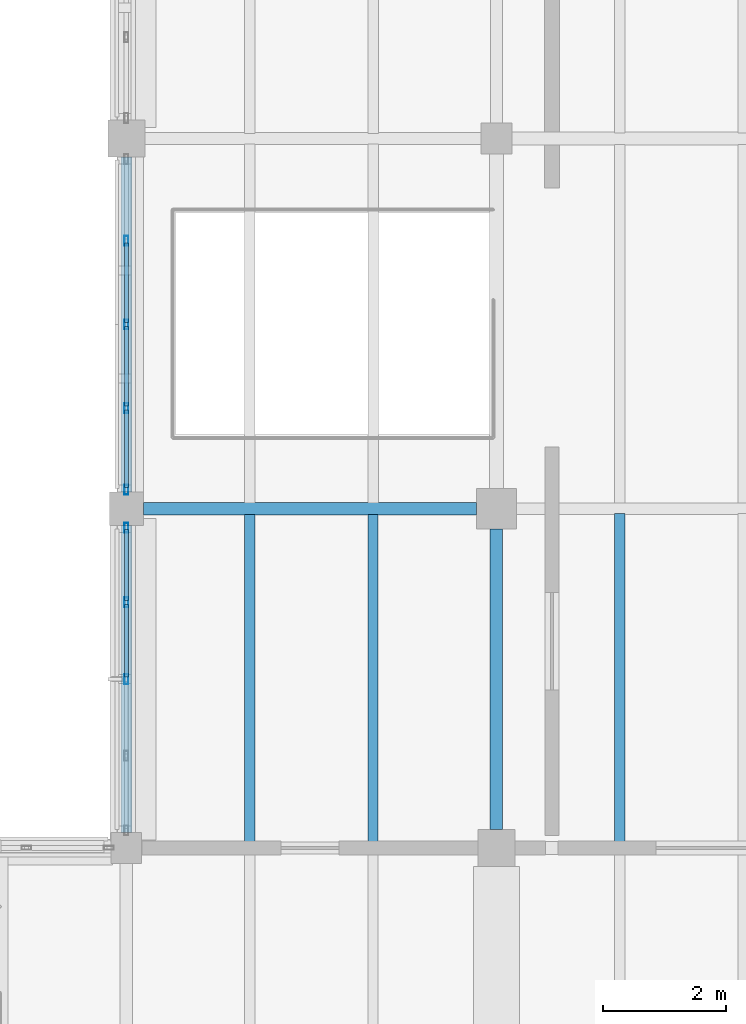
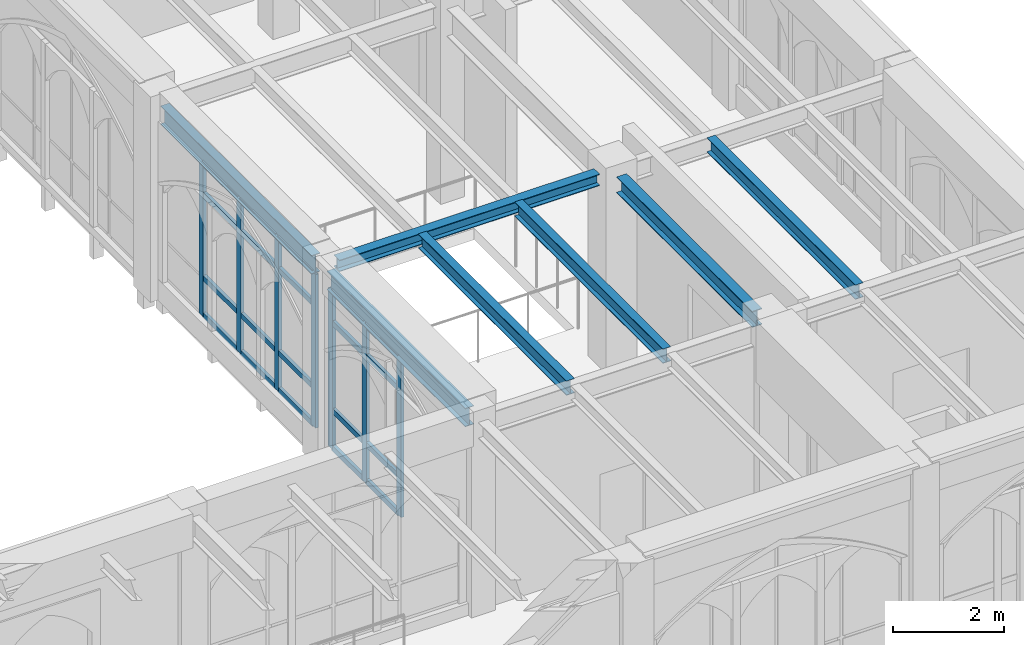
# One storey, part 19 of 127: 27 members, 7 beams, 2 elements without a shape of their own.
"""IFC4 building model written with IfcOpenShell, lengths in metres."""

from ifc_helpers import new_model, si_unit, direction, frame, origin, origin_2d, place, context, subcontext, project, spatial, hollow_rectangle, i_section, extrude, material, layer, layer_set, material_profile, profile_set, type_object, element, aggregate, save


model = new_model("IFC4")

# Units and contexts
model_context = context("Model", 3, precision=1e-05, world=origin(), true_north=direction((0.0, 1.0)))
body_context = subcontext(model_context, "Body", "Model", "MODEL_VIEW")
ifc_project = project(units=[si_unit("LENGTHUNIT", "METRE"), si_unit("AREAUNIT", "SQUARE_METRE"), si_unit("VOLUMEUNIT", "CUBIC_METRE"), si_unit("PLANEANGLEUNIT", "RADIAN"), si_unit("MASSUNIT", "GRAM", prefix="KILO")], contexts=[model_context])

# Site, building, storey
site_placement = place(None, origin())
site = spatial("IfcSite", under=ifc_project, at=site_placement, CompositionType="ELEMENT")
building_placement = place(site_placement, origin())
building = spatial("IfcBuilding", under=site, at=building_placement, Name="Cumevento Cable Car Station", CompositionType="ELEMENT")
storey_placement = place(building_placement, frame((0.0, 0.0, 4.5)))
storey = spatial("IfcBuildingStorey", under=building, at=storey_placement, Name="L02", CompositionType="ELEMENT", Elevation=4.5)

# Curtain wall, members
ifc_material_1 = material(Name="Anodised Bronze Aluminium AW-6063-T6", Category="aluminium")
ifc_layer_1 = layer(ifc_material_1, 0.18408203125)
ifc_layer_set_1 = layer_set([ifc_layer_1], Name="Anodised Bronze Aluminium AW-6063-T6")
curtain_wall_type_1 = type_object("IfcCurtainWallType", Name="Lancet Curtain Wall CW-05 1210", PredefinedType="NOTDEFINED", material=ifc_layer_set_1)
curtain_wall_1_placement = place(storey_placement, origin())
curtain_wall_1 = element("IfcCurtainWall", 1, at=curtain_wall_1_placement, inside=storey, type_object=curtain_wall_type_1, Name="Lancet Curtain Wall CW-05 L02 #36", PredefinedType="NOTDEFINED")
ifc_material_2 = material(Name="Anodised Bronze Aluminium AW-6063-T6", Category="aluminium")
ifc_material_profile_1 = material_profile(ifc_material_2, hollow_rectangle(XDim=0.06494140625, YDim=0.159912109375, WallThickness=0.00390625, at=origin_2d()), Name="ALUM65x160x4")
ifc_profile_set_1 = profile_set([ifc_material_profile_1], Name="Anodised Bronze Aluminium AW-6063-T6")
member_type_1 = type_object("IfcMemberType", Name="Curtain Mullion CWM-01 ALUM65x160x4", PredefinedType="MULLION", material=ifc_profile_set_1)
member_1_placement = place(storey_placement, frame((58.0, 12.237548828125, 0.360107421875), z_axis=(0.0, 0.0, 1.0), x_axis=(-1.0, 0.0, 0.0)))
member_1 = element("IfcMember", 2, at=member_1_placement, type_object=member_type_1, Name="CW-05 mullion 3", PredefinedType="MULLION", context=body_context, shape_type="SweptSolid", body=[
    extrude(hollow_rectangle(XDim=0.06494140625, YDim=0.159912109375, WallThickness=0.00390625, at=origin_2d()), origin(), (0.0, 0.0, 1.0), 3.472900390625),
])
member_2_placement = place(storey_placement, frame((58.0, 13.481201171875, 0.360107421875), z_axis=(0.0, 0.0, 1.0), x_axis=(-1.0, 0.0, 0.0)))
member_2 = element("IfcMember", 3, at=member_2_placement, type_object=member_type_1, Name="CW-05 mullion 4", PredefinedType="MULLION", context=body_context, shape_type="SweptSolid", body=[
    extrude(hollow_rectangle(XDim=0.06494140625, YDim=0.159912109375, WallThickness=0.00390625, at=origin_2d()), origin(), (0.0, 0.0, 1.0), 3.472900390625),
])
member_3_placement = place(storey_placement, frame((58.0, 14.6923828125, 0.360107421875), z_axis=(0.0, 0.0, 1.0), x_axis=(-1.0, 0.0, 0.0)))
member_3 = element("IfcMember", 4, at=member_3_placement, type_object=member_type_1, Name="CW-05 mullion 5", PredefinedType="MULLION", context=body_context, shape_type="SweptSolid", body=[
    extrude(hollow_rectangle(XDim=0.06494140625, YDim=0.159912109375, WallThickness=0.00390625, at=origin_2d()), origin(), (0.0, 0.0, 1.0), 3.472900390625),
])

ifc_material_3 = material(Name="Anodised Bronze Aluminium AW-6063-T6", Category="aluminium")
ifc_layer_2 = layer(ifc_material_3, 0.196044921875)
ifc_layer_set_2 = layer_set([ifc_layer_2], Name="Anodised Bronze Aluminium AW-6063-T6")
curtain_wall_type_2 = type_object("IfcCurtainWallType", Name="Lancet Curtain Wall CW-07 1290", PredefinedType="NOTDEFINED", material=ifc_layer_set_2)
curtain_wall_2_placement = place(storey_placement, origin())
curtain_wall_2 = element("IfcCurtainWall", 5, at=curtain_wall_2_placement, inside=storey, type_object=curtain_wall_type_2, Name="Lancet Curtain Wall CW-07 L02 #38", PredefinedType="NOTDEFINED")
member_4_placement = place(storey_placement, frame((58.0, 15.3076171875, 0.4599609375), z_axis=(0.0, 0.0, 1.0), x_axis=(-1.0, 0.0, 0.0)))
member_4 = element("IfcMember", 6, at=member_4_placement, type_object=member_type_1, Name="CW-07 mullion 1", PredefinedType="MULLION", context=body_context, shape_type="SweptSolid", body=[
    extrude(hollow_rectangle(XDim=0.06494140625, YDim=0.159912109375, WallThickness=0.00390625, at=origin_2d()), origin(), (0.0, 0.0, 1.0), 3.373046875),
])
member_5_placement = place(storey_placement, frame((58.0, 16.63134765625, 0.4599609375), z_axis=(0.0, 0.0, 1.0), x_axis=(-1.0, 0.0, 0.0)))
member_5 = element("IfcMember", 7, at=member_5_placement, type_object=member_type_1, Name="CW-07 mullion 2", PredefinedType="MULLION", context=body_context, shape_type="SweptSolid", body=[
    extrude(hollow_rectangle(XDim=0.06494140625, YDim=0.159912109375, WallThickness=0.00390625, at=origin_2d()), origin(), (0.0, 0.0, 1.0), 3.373046875),
])
member_6_placement = place(storey_placement, frame((58.0, 17.987548828125, 0.4599609375), z_axis=(0.0, 0.0, 1.0), x_axis=(-1.0, 0.0, 0.0)))
member_6 = element("IfcMember", 8, at=member_6_placement, type_object=member_type_1, Name="CW-07 mullion 3", PredefinedType="MULLION", context=body_context, shape_type="SweptSolid", body=[
    extrude(hollow_rectangle(XDim=0.06494140625, YDim=0.159912109375, WallThickness=0.00390625, at=origin_2d()), origin(), (0.0, 0.0, 1.0), 3.373046875),
])
member_7_placement = place(storey_placement, frame((58.0, 19.34375, 0.4599609375), z_axis=(0.0, 0.0, 1.0), x_axis=(-1.0, 0.0, 0.0)))
member_7 = element("IfcMember", 9, at=member_7_placement, type_object=member_type_1, Name="CW-07 mullion 4", PredefinedType="MULLION", context=body_context, shape_type="SweptSolid", body=[
    extrude(hollow_rectangle(XDim=0.06494140625, YDim=0.159912109375, WallThickness=0.00390625, at=origin_2d()), origin(), (0.0, 0.0, 1.0), 3.373046875),
])

# Member
ifc_material_4 = material(Name="Anodised Bronze Aluminium AW-6063-T6", Category="aluminium")
ifc_material_profile_2 = material_profile(ifc_material_4, hollow_rectangle(XDim=0.06494140625, YDim=0.1201171875, WallThickness=0.00390625, at=origin_2d()), Name="ALUT65x120x4")
ifc_profile_set_2 = profile_set([ifc_material_profile_2], Name="Anodised Bronze Aluminium AW-6063-T6")
member_type_2 = type_object("IfcMemberType", Name="Curtain Transom CWT-01 ALUT65x120x4", PredefinedType="USERDEFINED", material=ifc_profile_set_2)
member_8_placement = place(storey_placement, frame((58.0, 12.27001953125, 0.392578125), z_axis=(0.0, 1.0, 0.0), x_axis=(-1.0, 0.0, 0.0)))
member_8 = element("IfcMember", 10, at=member_8_placement, type_object=member_type_2, Name="CW-05 transom 3.1", ObjectType="TRANSOM", PredefinedType="USERDEFINED", context=body_context, shape_type="SweptSolid", body=[
    extrude(hollow_rectangle(XDim=0.06494140625, YDim=0.1201171875, WallThickness=0.00390625, at=origin_2d()), origin(), (0.0, 0.0, 1.0), 1.1787109375),
])

member_9_placement = place(storey_placement, frame((58.0, 12.27001953125, 1.2099609375), z_axis=(0.0, 1.0, 0.0), x_axis=(-1.0, 0.0, 0.0)))
member_9 = element("IfcMember", 11, at=member_9_placement, type_object=member_type_2, Name="CW-05 transom 3.2", ObjectType="TRANSOM", PredefinedType="USERDEFINED", context=body_context, shape_type="SweptSolid", body=[
    extrude(hollow_rectangle(XDim=0.06494140625, YDim=0.1201171875, WallThickness=0.00390625, at=origin_2d()), origin(), (0.0, 0.0, 1.0), 1.1787109375),
])

member_10_placement = place(storey_placement, frame((58.0, 12.27001953125, 3.133056640625), z_axis=(0.0, 1.0, 0.0), x_axis=(-1.0, 0.0, 0.0)))
member_10 = element("IfcMember", 12, at=member_10_placement, type_object=member_type_2, Name="CW-05 transom 3.3", ObjectType="TRANSOM", PredefinedType="USERDEFINED", context=body_context, shape_type="SweptSolid", body=[
    extrude(hollow_rectangle(XDim=0.06494140625, YDim=0.1201171875, WallThickness=0.00390625, at=origin_2d()), origin(), (0.0, 0.0, 1.0), 1.1787109375),
])

member_11_placement = place(storey_placement, frame((58.0, 12.27001953125, 3.800537109375), z_axis=(0.0, 1.0, 0.0), x_axis=(-1.0, 0.0, 0.0)))
member_11 = element("IfcMember", 13, at=member_11_placement, type_object=member_type_2, Name="CW-05 transom 3.4", ObjectType="TRANSOM", PredefinedType="USERDEFINED", context=body_context, shape_type="SweptSolid", body=[
    extrude(hollow_rectangle(XDim=0.06494140625, YDim=0.1201171875, WallThickness=0.00390625, at=origin_2d()), origin(), (0.0, 0.0, 1.0), 1.1787109375),
])

member_12_placement = place(storey_placement, frame((58.0, 13.513671875, 0.392578125), z_axis=(0.0, 1.0, 0.0), x_axis=(-1.0, 0.0, 0.0)))
member_12 = element("IfcMember", 14, at=member_12_placement, type_object=member_type_2, Name="CW-05 transom 4.1", ObjectType="TRANSOM", PredefinedType="USERDEFINED", context=body_context, shape_type="SweptSolid", body=[
    extrude(hollow_rectangle(XDim=0.06494140625, YDim=0.1201171875, WallThickness=0.00390625, at=origin_2d()), origin(), (0.0, 0.0, 1.0), 1.146240234375),
])

member_13_placement = place(storey_placement, frame((58.0, 13.513671875, 1.2099609375), z_axis=(0.0, 1.0, 0.0), x_axis=(-1.0, 0.0, 0.0)))
member_13 = element("IfcMember", 15, at=member_13_placement, type_object=member_type_2, Name="CW-05 transom 4.2", ObjectType="TRANSOM", PredefinedType="USERDEFINED", context=body_context, shape_type="SweptSolid", body=[
    extrude(hollow_rectangle(XDim=0.06494140625, YDim=0.1201171875, WallThickness=0.00390625, at=origin_2d()), origin(), (0.0, 0.0, 1.0), 1.146240234375),
])

member_14_placement = place(storey_placement, frame((58.0, 13.513671875, 3.133056640625), z_axis=(0.0, 1.0, 0.0), x_axis=(-1.0, 0.0, 0.0)))
member_14 = element("IfcMember", 16, at=member_14_placement, type_object=member_type_2, Name="CW-05 transom 4.3", ObjectType="TRANSOM", PredefinedType="USERDEFINED", context=body_context, shape_type="SweptSolid", body=[
    extrude(hollow_rectangle(XDim=0.06494140625, YDim=0.1201171875, WallThickness=0.00390625, at=origin_2d()), origin(), (0.0, 0.0, 1.0), 1.146240234375),
])

member_15_placement = place(storey_placement, frame((58.0, 13.513671875, 3.800537109375), z_axis=(0.0, 1.0, 0.0), x_axis=(-1.0, 0.0, 0.0)))
member_15 = element("IfcMember", 17, at=member_15_placement, type_object=member_type_2, Name="CW-05 transom 4.4", ObjectType="TRANSOM", PredefinedType="USERDEFINED", context=body_context, shape_type="SweptSolid", body=[
    extrude(hollow_rectangle(XDim=0.06494140625, YDim=0.1201171875, WallThickness=0.00390625, at=origin_2d()), origin(), (0.0, 0.0, 1.0), 1.146240234375),
])

aggregate(curtain_wall_1, [member_1, member_2, member_3, member_8, member_9, member_10, member_11, member_12, member_13, member_14, member_15])

member_16_placement = place(storey_placement, frame((58.0, 15.340087890625, 0.492431640625), z_axis=(0.0, 1.0, 0.0), x_axis=(-1.0, 0.0, 0.0)))
member_16 = element("IfcMember", 18, at=member_16_placement, type_object=member_type_2, Name="CW-07 transom 1.1", ObjectType="TRANSOM", PredefinedType="USERDEFINED", context=body_context, shape_type="SweptSolid", body=[
    extrude(hollow_rectangle(XDim=0.06494140625, YDim=0.1201171875, WallThickness=0.00390625, at=origin_2d()), origin(), (0.0, 0.0, 1.0), 1.258544921875),
])

member_17_placement = place(storey_placement, frame((58.0, 15.340087890625, 1.31005859375), z_axis=(0.0, 1.0, 0.0), x_axis=(-1.0, 0.0, 0.0)))
member_17 = element("IfcMember", 19, at=member_17_placement, type_object=member_type_2, Name="CW-07 transom 1.2", ObjectType="TRANSOM", PredefinedType="USERDEFINED", context=body_context, shape_type="SweptSolid", body=[
    extrude(hollow_rectangle(XDim=0.06494140625, YDim=0.1201171875, WallThickness=0.00390625, at=origin_2d()), origin(), (0.0, 0.0, 1.0), 1.258544921875),
])

member_18_placement = place(storey_placement, frame((58.0, 15.340087890625, 3.133056640625), z_axis=(0.0, 1.0, 0.0), x_axis=(-1.0, 0.0, 0.0)))
member_18 = element("IfcMember", 20, at=member_18_placement, type_object=member_type_2, Name="CW-07 transom 1.3", ObjectType="TRANSOM", PredefinedType="USERDEFINED", context=body_context, shape_type="SweptSolid", body=[
    extrude(hollow_rectangle(XDim=0.06494140625, YDim=0.1201171875, WallThickness=0.00390625, at=origin_2d()), origin(), (0.0, 0.0, 1.0), 1.258544921875),
])

member_19_placement = place(storey_placement, frame((58.0, 15.340087890625, 3.800537109375), z_axis=(0.0, 1.0, 0.0), x_axis=(-1.0, 0.0, 0.0)))
member_19 = element("IfcMember", 21, at=member_19_placement, type_object=member_type_2, Name="CW-07 transom 1.4", ObjectType="TRANSOM", PredefinedType="USERDEFINED", context=body_context, shape_type="SweptSolid", body=[
    extrude(hollow_rectangle(XDim=0.06494140625, YDim=0.1201171875, WallThickness=0.00390625, at=origin_2d()), origin(), (0.0, 0.0, 1.0), 1.258544921875),
])

member_20_placement = place(storey_placement, frame((58.0, 16.663818359375, 0.492431640625), z_axis=(0.0, 1.0, 0.0), x_axis=(-1.0, 0.0, 0.0)))
member_20 = element("IfcMember", 22, at=member_20_placement, type_object=member_type_2, Name="CW-07 transom 2.1", ObjectType="TRANSOM", PredefinedType="USERDEFINED", context=body_context, shape_type="SweptSolid", body=[
    extrude(hollow_rectangle(XDim=0.06494140625, YDim=0.1201171875, WallThickness=0.00390625, at=origin_2d()), origin(), (0.0, 0.0, 1.0), 1.291259765625),
])

member_21_placement = place(storey_placement, frame((58.0, 16.663818359375, 1.31005859375), z_axis=(0.0, 1.0, 0.0), x_axis=(-1.0, 0.0, 0.0)))
member_21 = element("IfcMember", 23, at=member_21_placement, type_object=member_type_2, Name="CW-07 transom 2.2", ObjectType="TRANSOM", PredefinedType="USERDEFINED", context=body_context, shape_type="SweptSolid", body=[
    extrude(hollow_rectangle(XDim=0.06494140625, YDim=0.1201171875, WallThickness=0.00390625, at=origin_2d()), origin(), (0.0, 0.0, 1.0), 1.291259765625),
])

member_22_placement = place(storey_placement, frame((58.0, 16.663818359375, 3.133056640625), z_axis=(0.0, 1.0, 0.0), x_axis=(-1.0, 0.0, 0.0)))
member_22 = element("IfcMember", 24, at=member_22_placement, type_object=member_type_2, Name="CW-07 transom 2.3", ObjectType="TRANSOM", PredefinedType="USERDEFINED", context=body_context, shape_type="SweptSolid", body=[
    extrude(hollow_rectangle(XDim=0.06494140625, YDim=0.1201171875, WallThickness=0.00390625, at=origin_2d()), origin(), (0.0, 0.0, 1.0), 1.291259765625),
])

member_23_placement = place(storey_placement, frame((58.0, 16.663818359375, 3.800537109375), z_axis=(0.0, 1.0, 0.0), x_axis=(-1.0, 0.0, 0.0)))
member_23 = element("IfcMember", 25, at=member_23_placement, type_object=member_type_2, Name="CW-07 transom 2.4", ObjectType="TRANSOM", PredefinedType="USERDEFINED", context=body_context, shape_type="SweptSolid", body=[
    extrude(hollow_rectangle(XDim=0.06494140625, YDim=0.1201171875, WallThickness=0.00390625, at=origin_2d()), origin(), (0.0, 0.0, 1.0), 1.291259765625),
])

member_24_placement = place(storey_placement, frame((58.0, 18.02001953125, 0.492431640625), z_axis=(0.0, 1.0, 0.0), x_axis=(-1.0, 0.0, 0.0)))
member_24 = element("IfcMember", 26, at=member_24_placement, type_object=member_type_2, Name="CW-07 transom 3.1", ObjectType="TRANSOM", PredefinedType="USERDEFINED", context=body_context, shape_type="SweptSolid", body=[
    extrude(hollow_rectangle(XDim=0.06494140625, YDim=0.1201171875, WallThickness=0.00390625, at=origin_2d()), origin(), (0.0, 0.0, 1.0), 1.291259765625),
])

member_25_placement = place(storey_placement, frame((58.0, 18.02001953125, 1.31005859375), z_axis=(0.0, 1.0, 0.0), x_axis=(-1.0, 0.0, 0.0)))
member_25 = element("IfcMember", 27, at=member_25_placement, type_object=member_type_2, Name="CW-07 transom 3.2", ObjectType="TRANSOM", PredefinedType="USERDEFINED", context=body_context, shape_type="SweptSolid", body=[
    extrude(hollow_rectangle(XDim=0.06494140625, YDim=0.1201171875, WallThickness=0.00390625, at=origin_2d()), origin(), (0.0, 0.0, 1.0), 1.291259765625),
])

member_26_placement = place(storey_placement, frame((58.0, 18.02001953125, 3.133056640625), z_axis=(0.0, 1.0, 0.0), x_axis=(-1.0, 0.0, 0.0)))
member_26 = element("IfcMember", 28, at=member_26_placement, type_object=member_type_2, Name="CW-07 transom 3.3", ObjectType="TRANSOM", PredefinedType="USERDEFINED", context=body_context, shape_type="SweptSolid", body=[
    extrude(hollow_rectangle(XDim=0.06494140625, YDim=0.1201171875, WallThickness=0.00390625, at=origin_2d()), origin(), (0.0, 0.0, 1.0), 1.291259765625),
])

member_27_placement = place(storey_placement, frame((58.0, 18.02001953125, 3.800537109375), z_axis=(0.0, 1.0, 0.0), x_axis=(-1.0, 0.0, 0.0)))
member_27 = element("IfcMember", 29, at=member_27_placement, type_object=member_type_2, Name="CW-07 transom 3.4", ObjectType="TRANSOM", PredefinedType="USERDEFINED", context=body_context, shape_type="SweptSolid", body=[
    extrude(hollow_rectangle(XDim=0.06494140625, YDim=0.1201171875, WallThickness=0.00390625, at=origin_2d()), origin(), (0.0, 0.0, 1.0), 1.291259765625),
])

aggregate(curtain_wall_2, [member_4, member_5, member_6, member_7, member_16, member_17, member_18, member_19, member_20, member_21, member_22, member_23, member_24, member_25, member_26, member_27])

# Beams
ifc_material_5 = material(Name="Steel ASTM A572 Grade 50", Category="steel")
ifc_material_profile_3 = material_profile(ifc_material_5, i_section(OverallWidth=0.205078125, OverallDepth=0.35400390625, WebThickness=0.009521484375, FlangeThickness=0.016845703125, at=origin_2d()), Name="W360x79.0")
ifc_profile_set_3 = profile_set([ifc_material_profile_3], Name="Steel ASTM A572 Grade 50")
beam_type_1 = type_object("IfcBeamType", Name="Structural Beam BM-05 W360x79.0", PredefinedType="BEAM", material=ifc_profile_set_3)
beam_1_placement = place(storey_placement, frame((64.0, 9.800048828125, 4.06298828125), z_axis=(0.0, 1.0, 0.0), x_axis=(-1.0, 0.0, 0.0)))
element("IfcBeam", 30, at=beam_1_placement, inside=storey, type_object=beam_type_1, Name="Beam BM-05 L02 #492", PredefinedType="BEAM", context=body_context, shape_type="SweptSolid", body=[
    extrude(i_section(OverallWidth=0.205078125, OverallDepth=0.35400390625, WebThickness=0.009521484375, FlangeThickness=0.016845703125, at=origin_2d()), origin(), (0.0, 0.0, 1.0), 4.875),
])
ifc_material_6 = material(Name="Steel ASTM A572 Grade 50", Category="steel")
ifc_material_profile_4 = material_profile(ifc_material_6, i_section(OverallWidth=0.202880859375, OverallDepth=0.251953125, WebThickness=0.008056640625, FlangeThickness=0.013427734375, at=origin_2d()), Name="W250x58.0")
ifc_profile_set_4 = profile_set([ifc_material_profile_4], Name="Steel ASTM A572 Grade 50")
beam_type_2 = type_object("IfcBeamType", Name="Structural Beam BM-08 W250x58.0", PredefinedType="BEAM", material=ifc_profile_set_4)
beam_2_placement = place(storey_placement, frame((58.27490234375, 15.0, 4.114013671875), z_axis=(1.0, 0.0, 0.0), x_axis=(0.0, 1.0, 0.0)))
element("IfcBeam", 31, at=beam_2_placement, inside=storey, type_object=beam_type_2, Name="Beam BM-08 L02 #477", PredefinedType="BEAM", context=body_context, shape_type="SweptSolid", body=[
    extrude(i_section(OverallWidth=0.202880859375, OverallDepth=0.251953125, WebThickness=0.008056640625, FlangeThickness=0.013427734375, at=origin_2d()), origin(), (0.0, 0.0, 1.0), 5.400146484375),
])
ifc_material_7 = material(Name="Steel ASTM A572 Grade 50", Category="steel")
ifc_material_profile_5 = material_profile(ifc_material_7, i_section(OverallWidth=0.1669921875, OverallDepth=0.31689453125, WebThickness=0.007568359375, FlangeThickness=0.01318359375, at=origin_2d()), Name="W310x52.0")
ifc_profile_set_5 = profile_set([ifc_material_profile_5], Name="Steel ASTM A572 Grade 50")
beam_type_3 = type_object("IfcBeamType", Name="Structural Joist JS-02 W310x52.0", PredefinedType="JOIST", material=ifc_profile_set_5)
for number, where, z_axis, x_axis, name in (
    (32, (60.0, 9.5830078125, 4.08154296875), (0.0, 1.0, 0.0), (-1.0, 0.0, 0.0), "Composite Floor Joist JS-02 L02 #752"),
    (33, (62.0, 9.5830078125, 4.08154296875), (0.0, 1.0, 0.0), (-1.0, 0.0, 0.0), "Composite Floor Joist JS-02 L02 #756"),
):
    element("IfcBeam", number, at=place(storey_placement, frame(where, z_axis=z_axis, x_axis=x_axis)), inside=storey, type_object=beam_type_3, Name=name, PredefinedType="JOIST", context=body_context, shape_type="SweptSolid", body=[
        extrude(i_section(OverallWidth=0.1669921875, OverallDepth=0.31689453125, WebThickness=0.007568359375, FlangeThickness=0.01318359375, at=origin_2d()), origin(), (0.0, 0.0, 1.0), 5.327392578125),
    ])
beam_3_placement = place(storey_placement, frame((66.0, 9.590576171875, 4.08154296875), z_axis=(0.0, 1.0, 0.0), x_axis=(-1.0, 0.0, 0.0)))
element("IfcBeam", 34, at=beam_3_placement, inside=storey, type_object=beam_type_3, Name="Composite Floor Joist JS-02 L02 #760", PredefinedType="JOIST", context=body_context, shape_type="SweptSolid", body=[
    extrude(i_section(OverallWidth=0.1669921875, OverallDepth=0.31689453125, WebThickness=0.007568359375, FlangeThickness=0.01318359375, at=origin_2d()), origin(), (0.0, 0.0, 1.0), 5.33154296875),
])
ifc_material_8 = material(Name="Steel ASTM A572 Grade 50", Category="steel")
ifc_material_profile_6 = material_profile(ifc_material_8, i_section(OverallWidth=0.177978515625, OverallDepth=0.406982421875, WebThickness=0.0078125, FlangeThickness=0.0126953125, at=origin_2d()), Name="W410x60.0")
ifc_profile_set_6 = profile_set([ifc_material_profile_6], Name="Steel ASTM A572 Grade 50")
beam_type_4 = type_object("IfcBeamType", Name="Structural Spandrel SP-01 W410x60.0", PredefinedType="SPANDREL", material=ifc_profile_set_6)
beam_4_placement = place(storey_placement, frame((58.0, 9.75, 4.03662109375), z_axis=(0.0, 1.0, 0.0), x_axis=(-1.0, 0.0, 0.0)))
element("IfcBeam", 35, at=beam_4_placement, inside=storey, type_object=beam_type_4, Name="Beam SP-01 L02 #487", PredefinedType="SPANDREL", context=body_context, shape_type="SweptSolid", body=[
    extrude(i_section(OverallWidth=0.177978515625, OverallDepth=0.406982421875, WebThickness=0.0078125, FlangeThickness=0.0126953125, at=origin_2d()), origin(), (0.0, 0.0, 1.0), 4.97509765625),
])
beam_5_placement = place(storey_placement, frame((58.0, 15.27490234375, 4.03662109375), z_axis=(0.0, 1.0, 0.0), x_axis=(-1.0, 0.0, 0.0)))
element("IfcBeam", 36, at=beam_5_placement, inside=storey, type_object=beam_type_4, Name="Beam SP-01 L02 #488", PredefinedType="SPANDREL", context=body_context, shape_type="SweptSolid", body=[
    extrude(i_section(OverallWidth=0.177978515625, OverallDepth=0.406982421875, WebThickness=0.0078125, FlangeThickness=0.0126953125, at=origin_2d()), origin(), (0.0, 0.0, 1.0), 5.425048828125),
])

save(model, "model.ifc")
